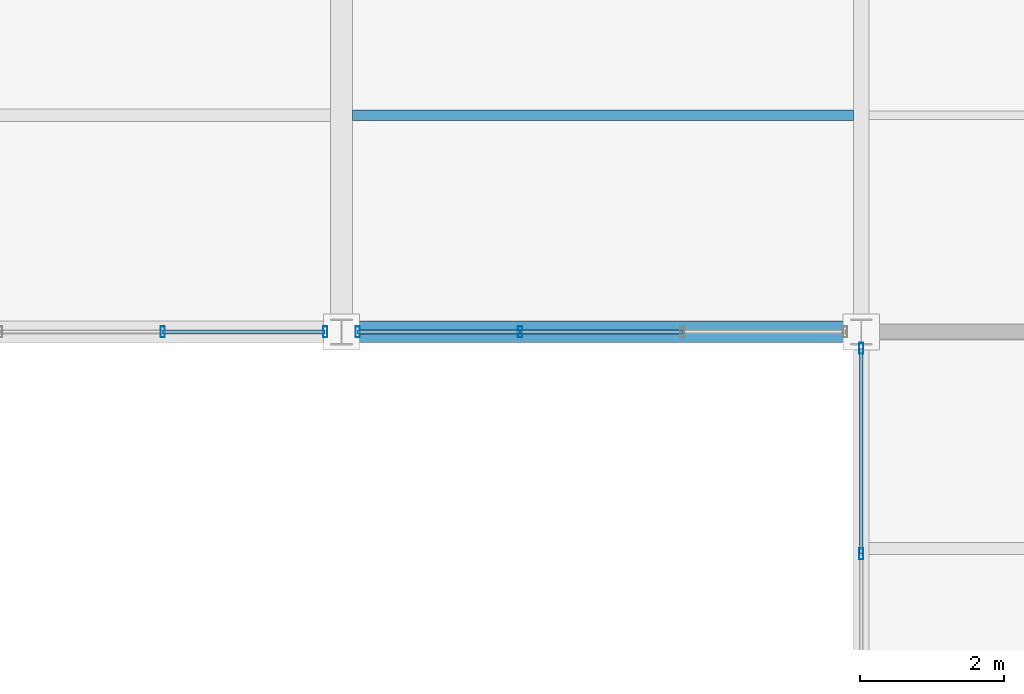
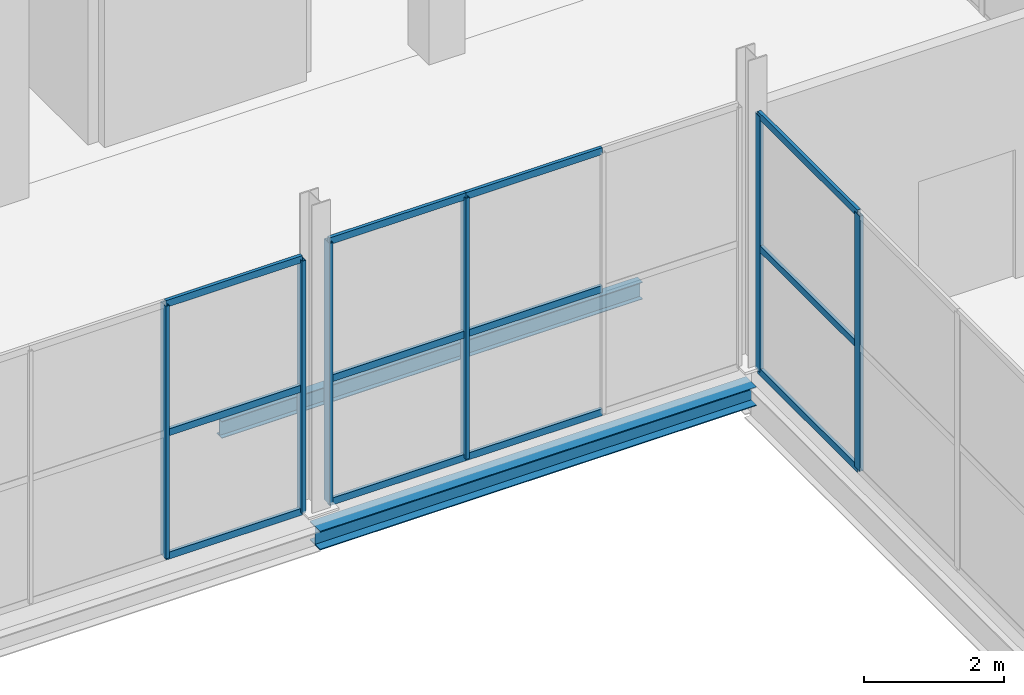
# One storey, part 81 of 141: 18 members, 2 beams, 3 elements without a shape of their own.
"""IFC4 building model written with IfcOpenShell, lengths in metres."""

from ifc_helpers import new_model, si_unit, direction, frame, origin, origin_2d, place, context, subcontext, project, spatial, hollow_rectangle, i_section, extrude, material, layer, layer_set, material_profile, profile_set, type_object, element, aggregate, save


model = new_model("IFC4")

# Units and contexts
model_context = context("Model", 3, precision=1e-05, world=origin(), true_north=direction((0.0, 1.0)))
body_context = subcontext(model_context, "Body", "Model", "MODEL_VIEW")
ifc_project = project(units=[si_unit("LENGTHUNIT", "METRE"), si_unit("AREAUNIT", "SQUARE_METRE"), si_unit("VOLUMEUNIT", "CUBIC_METRE"), si_unit("PLANEANGLEUNIT", "RADIAN"), si_unit("MASSUNIT", "GRAM", prefix="KILO")], contexts=[model_context])

# Site, building, storey
site_placement = place(None, origin())
site = spatial("IfcSite", under=ifc_project, at=site_placement, CompositionType="ELEMENT")
building_placement = place(site_placement, origin())
building = spatial("IfcBuilding", under=site, at=building_placement, Name="Sundgate Opera House", CompositionType="ELEMENT")
storey_placement = place(building_placement, frame((0.0, 0.0, 11.39990234375)))
storey = spatial("IfcBuildingStorey", under=building, at=storey_placement, Name="L02", CompositionType="ELEMENT", Elevation=11.39990234375)

# Beams
ifc_material_1 = material(Name="Steel S355J2", Category="steel")
ifc_material_profile_1 = material_profile(ifc_material_1, i_section(OverallWidth=0.300048828125, OverallDepth=0.330078125, WebThickness=0.009521484375, FlangeThickness=0.0166015625, at=origin_2d()), Name="HEA 340")
ifc_profile_set_1 = profile_set([ifc_material_profile_1], Name="Steel S355J2")
beam_type_1 = type_object("IfcBeamType", Name="BM-GR-HEA340", PredefinedType="BEAM", material=ifc_profile_set_1)
beam_1_placement = place(storey_placement, frame((131.39990234375, 60.0, -0.514892578125), z_axis=(1.0, 0.0, 0.0), x_axis=(0.0, 1.0, 0.0)))
element("IfcBeam", 1, at=beam_1_placement, inside=storey, type_object=beam_type_1, Name="L02 Primary E-W Girder B2030", PredefinedType="BEAM", context=body_context, shape_type="SweptSolid", body=[
    extrude(i_section(OverallWidth=0.300048828125, OverallDepth=0.330078125, WebThickness=0.009521484375, FlangeThickness=0.0166015625, at=origin_2d()), origin(), (0.0, 0.0, 1.0), 7.2001953125),
])
ifc_material_2 = material(Name="Steel S355J2", Category="steel")
ifc_material_profile_2 = material_profile(ifc_material_2, i_section(OverallWidth=0.14990234375, OverallDepth=0.300048828125, WebThickness=0.007080078125, FlangeThickness=0.0107421875, at=origin_2d()), Name="IPE 300")
ifc_profile_set_2 = profile_set([ifc_material_profile_2], Name="Steel S355J2")
beam_type_2 = type_object("IfcBeamType", Name="BM-JS-IPE300", PredefinedType="JOIST", material=ifc_profile_set_2)
beam_2_placement = place(storey_placement, frame((131.550048828125, 63.0, -0.5), z_axis=(1.0, 0.0, 0.0), x_axis=(0.0, 1.0, 0.0)))
element("IfcBeam", 2, at=beam_2_placement, inside=storey, type_object=beam_type_2, Name="L02 Secondary Floor Joist B2273", PredefinedType="JOIST", context=body_context, shape_type="SweptSolid", body=[
    extrude(i_section(OverallWidth=0.14990234375, OverallDepth=0.300048828125, WebThickness=0.007080078125, FlangeThickness=0.0107421875, at=origin_2d()), origin(), (0.0, 0.0, 1.0), 6.945068359375),
])

# Curtain wall, members
ifc_material_3 = material(Name="Anodized aluminium and low-iron glass", Category="aluminium")
ifc_layer = layer(ifc_material_3, 0.159912109375)
ifc_layer_set = layer_set([ifc_layer], Name="Anodized aluminium and low-iron glass")
curtain_wall_type = type_object("IfcCurtainWallType", Name="CW-STUDIO-DARK", PredefinedType="NOTDEFINED", material=ifc_layer_set)
curtain_wall_1_placement = place(storey_placement, origin())
curtain_wall_1 = element("IfcCurtainWall", 3, at=curtain_wall_1_placement, inside=storey, type_object=curtain_wall_type, Name="L02 Curtain Wall CW073", PredefinedType="NOTDEFINED")
ifc_material_4 = material(Name="Anodized aluminium EN AW-6063", Category="aluminium")
ifc_material_profile_3 = material_profile(ifc_material_4, hollow_rectangle(XDim=0.06005859375, YDim=0.14990234375, WallThickness=0.00390625, at=origin_2d()), Name="CWM 150x60x4")
ifc_profile_set_3 = profile_set([ifc_material_profile_3], Name="Anodized aluminium EN AW-6063")
member_type_1 = type_object("IfcMemberType", Name="CWM-ALU-150x60", PredefinedType="MULLION", material=ifc_profile_set_3)
member_1_placement = place(storey_placement, frame((131.175048828125, 60.0, 0.0), z_axis=(0.0, 0.0, 1.0), x_axis=(1.0, 0.0, 0.0)))
member_1 = element("IfcMember", 4, at=member_1_placement, type_object=member_type_1, Name="CW073 Mullion 1", PredefinedType="MULLION", context=body_context, shape_type="SweptSolid", body=[
    extrude(hollow_rectangle(XDim=0.06005859375, YDim=0.14990234375, WallThickness=0.00390625, at=origin_2d()), origin(), (0.0, 0.0, 1.0), 4.405029296875),
])
member_2_placement = place(storey_placement, frame((128.925048828125, 60.0, 0.0), z_axis=(0.0, 0.0, 1.0), x_axis=(1.0, 0.0, 0.0)))
member_2 = element("IfcMember", 5, at=member_2_placement, type_object=member_type_1, Name="CW073 Mullion 2", PredefinedType="MULLION", context=body_context, shape_type="SweptSolid", body=[
    extrude(hollow_rectangle(XDim=0.06005859375, YDim=0.14990234375, WallThickness=0.00390625, at=origin_2d()), origin(), (0.0, 0.0, 1.0), 4.405029296875),
])

curtain_wall_2_placement = place(storey_placement, origin())
curtain_wall_2 = element("IfcCurtainWall", 6, at=curtain_wall_2_placement, inside=storey, type_object=curtain_wall_type, Name="L02 Curtain Wall CW075", PredefinedType="NOTDEFINED")
member_3_placement = place(storey_placement, frame((133.875, 60.0, 0.0), z_axis=(0.0, 0.0, 1.0), x_axis=(1.0, 0.0, 0.0)))
member_3 = element("IfcMember", 7, at=member_3_placement, type_object=member_type_1, Name="CW075 Mullion 3", PredefinedType="MULLION", context=body_context, shape_type="SweptSolid", body=[
    extrude(hollow_rectangle(XDim=0.06005859375, YDim=0.14990234375, WallThickness=0.00390625, at=origin_2d()), origin(), (0.0, 0.0, 1.0), 4.55517578125),
])
member_4_placement = place(storey_placement, frame((131.625, 60.0, 0.0), z_axis=(0.0, 0.0, 1.0), x_axis=(1.0, 0.0, 0.0)))
member_4 = element("IfcMember", 8, at=member_4_placement, type_object=member_type_1, Name="CW075 Mullion 4", PredefinedType="MULLION", context=body_context, shape_type="SweptSolid", body=[
    extrude(hollow_rectangle(XDim=0.06005859375, YDim=0.14990234375, WallThickness=0.00390625, at=origin_2d()), origin(), (0.0, 0.0, 1.0), 4.55517578125),
])

curtain_wall_3_placement = place(storey_placement, origin())
curtain_wall_3 = element("IfcCurtainWall", 9, at=curtain_wall_3_placement, inside=storey, type_object=curtain_wall_type, Name="L02 Curtain Wall CW079", PredefinedType="NOTDEFINED")
member_5_placement = place(storey_placement, frame((138.60009765625, 59.77490234375, 0.0), z_axis=(0.0, 0.0, 1.0), x_axis=(1.0, 0.0, 0.0)))
member_5 = element("IfcMember", 10, at=member_5_placement, type_object=member_type_1, Name="CW079 Mullion 1", PredefinedType="MULLION", context=body_context, shape_type="SweptSolid", body=[
    extrude(hollow_rectangle(XDim=0.06005859375, YDim=0.14990234375, WallThickness=0.00390625, at=origin_2d()), origin(), (0.0, 0.0, 1.0), 4.455078125),
])
member_6_placement = place(storey_placement, frame((138.60009765625, 56.925048828125, 0.0), z_axis=(0.0, 0.0, 1.0), x_axis=(1.0, 0.0, 0.0)))
member_6 = element("IfcMember", 11, at=member_6_placement, type_object=member_type_1, Name="CW079 Mullion 2", PredefinedType="MULLION", context=body_context, shape_type="SweptSolid", body=[
    extrude(hollow_rectangle(XDim=0.06005859375, YDim=0.14990234375, WallThickness=0.00390625, at=origin_2d()), origin(), (0.0, 0.0, 1.0), 4.455078125),
])

# Member
ifc_material_5 = material(Name="Anodized aluminium EN AW-6063", Category="aluminium")
ifc_material_profile_4 = material_profile(ifc_material_5, hollow_rectangle(XDim=0.054931640625, YDim=0.1201171875, WallThickness=0.00390625, at=origin_2d()), Name="CWT 120x55x4")
ifc_profile_set_4 = profile_set([ifc_material_profile_4], Name="Anodized aluminium EN AW-6063")
member_type_2 = type_object("IfcMemberType", Name="CWT-ALU-120x55", PredefinedType="USERDEFINED", material=ifc_profile_set_4)
member_7_placement = place(storey_placement, frame((131.175048828125, 60.0, 0.0), z_axis=(-1.0, 0.0, 0.0), x_axis=(0.0, -1.0, 0.0)))
member_7 = element("IfcMember", 12, at=member_7_placement, type_object=member_type_2, Name="CW073 Transom 1", ObjectType="TRANSOM", PredefinedType="USERDEFINED", context=body_context, shape_type="SweptSolid", body=[
    extrude(hollow_rectangle(XDim=0.054931640625, YDim=0.1201171875, WallThickness=0.00390625, at=origin_2d()), origin(), (0.0, 0.0, 1.0), 2.25),
])

member_8_placement = place(storey_placement, frame((131.175048828125, 60.0, 2.150146484375), z_axis=(-1.0, 0.0, 0.0), x_axis=(0.0, -1.0, 0.0)))
member_8 = element("IfcMember", 13, at=member_8_placement, type_object=member_type_2, Name="CW073 Transom 2", ObjectType="TRANSOM", PredefinedType="USERDEFINED", context=body_context, shape_type="SweptSolid", body=[
    extrude(hollow_rectangle(XDim=0.054931640625, YDim=0.1201171875, WallThickness=0.00390625, at=origin_2d()), origin(), (0.0, 0.0, 1.0), 2.25),
])

member_9_placement = place(storey_placement, frame((131.175048828125, 60.0, 4.405029296875), z_axis=(-1.0, 0.0, 0.0), x_axis=(0.0, -1.0, 0.0)))
member_9 = element("IfcMember", 14, at=member_9_placement, type_object=member_type_2, Name="CW073 Transom 3", ObjectType="TRANSOM", PredefinedType="USERDEFINED", context=body_context, shape_type="SweptSolid", body=[
    extrude(hollow_rectangle(XDim=0.054931640625, YDim=0.1201171875, WallThickness=0.00390625, at=origin_2d()), origin(), (0.0, 0.0, 1.0), 2.25),
])

aggregate(curtain_wall_1, [member_1, member_2, member_7, member_8, member_9])

member_10_placement = place(storey_placement, frame((136.125, 60.0, 0.0), z_axis=(-1.0, 0.0, 0.0), x_axis=(0.0, -1.0, 0.0)))
member_10 = element("IfcMember", 15, at=member_10_placement, type_object=member_type_2, Name="CW075 Transom 4", ObjectType="TRANSOM", PredefinedType="USERDEFINED", context=body_context, shape_type="SweptSolid", body=[
    extrude(hollow_rectangle(XDim=0.054931640625, YDim=0.1201171875, WallThickness=0.00390625, at=origin_2d()), origin(), (0.0, 0.0, 1.0), 2.25),
])

member_11_placement = place(storey_placement, frame((136.125, 60.0, 2.150146484375), z_axis=(-1.0, 0.0, 0.0), x_axis=(0.0, -1.0, 0.0)))
member_11 = element("IfcMember", 16, at=member_11_placement, type_object=member_type_2, Name="CW075 Transom 5", ObjectType="TRANSOM", PredefinedType="USERDEFINED", context=body_context, shape_type="SweptSolid", body=[
    extrude(hollow_rectangle(XDim=0.054931640625, YDim=0.1201171875, WallThickness=0.00390625, at=origin_2d()), origin(), (0.0, 0.0, 1.0), 2.25),
])

member_12_placement = place(storey_placement, frame((136.125, 60.0, 4.55517578125), z_axis=(-1.0, 0.0, 0.0), x_axis=(0.0, -1.0, 0.0)))
member_12 = element("IfcMember", 17, at=member_12_placement, type_object=member_type_2, Name="CW075 Transom 6", ObjectType="TRANSOM", PredefinedType="USERDEFINED", context=body_context, shape_type="SweptSolid", body=[
    extrude(hollow_rectangle(XDim=0.054931640625, YDim=0.1201171875, WallThickness=0.00390625, at=origin_2d()), origin(), (0.0, 0.0, 1.0), 2.25),
])

member_13_placement = place(storey_placement, frame((133.875, 60.0, 0.0), z_axis=(-1.0, 0.0, 0.0), x_axis=(0.0, -1.0, 0.0)))
member_13 = element("IfcMember", 18, at=member_13_placement, type_object=member_type_2, Name="CW075 Transom 7", ObjectType="TRANSOM", PredefinedType="USERDEFINED", context=body_context, shape_type="SweptSolid", body=[
    extrude(hollow_rectangle(XDim=0.054931640625, YDim=0.1201171875, WallThickness=0.00390625, at=origin_2d()), origin(), (0.0, 0.0, 1.0), 2.25),
])

member_14_placement = place(storey_placement, frame((133.875, 60.0, 2.150146484375), z_axis=(-1.0, 0.0, 0.0), x_axis=(0.0, -1.0, 0.0)))
member_14 = element("IfcMember", 19, at=member_14_placement, type_object=member_type_2, Name="CW075 Transom 8", ObjectType="TRANSOM", PredefinedType="USERDEFINED", context=body_context, shape_type="SweptSolid", body=[
    extrude(hollow_rectangle(XDim=0.054931640625, YDim=0.1201171875, WallThickness=0.00390625, at=origin_2d()), origin(), (0.0, 0.0, 1.0), 2.25),
])

member_15_placement = place(storey_placement, frame((133.875, 60.0, 4.55517578125), z_axis=(-1.0, 0.0, 0.0), x_axis=(0.0, -1.0, 0.0)))
member_15 = element("IfcMember", 20, at=member_15_placement, type_object=member_type_2, Name="CW075 Transom 9", ObjectType="TRANSOM", PredefinedType="USERDEFINED", context=body_context, shape_type="SweptSolid", body=[
    extrude(hollow_rectangle(XDim=0.054931640625, YDim=0.1201171875, WallThickness=0.00390625, at=origin_2d()), origin(), (0.0, 0.0, 1.0), 2.25),
])

aggregate(curtain_wall_2, [member_3, member_4, member_10, member_11, member_12, member_13, member_14, member_15])

member_16_placement = place(storey_placement, frame((138.60009765625, 59.77490234375, 0.0), z_axis=(0.0, -1.0, 0.0), x_axis=(1.0, 0.0, 0.0)))
member_16 = element("IfcMember", 21, at=member_16_placement, type_object=member_type_2, Name="CW079 Transom 1", ObjectType="TRANSOM", PredefinedType="USERDEFINED", context=body_context, shape_type="SweptSolid", body=[
    extrude(hollow_rectangle(XDim=0.054931640625, YDim=0.1201171875, WallThickness=0.00390625, at=origin_2d()), origin(), (0.0, 0.0, 1.0), 2.849853515625),
])

member_17_placement = place(storey_placement, frame((138.60009765625, 59.77490234375, 2.150146484375), z_axis=(0.0, -1.0, 0.0), x_axis=(1.0, 0.0, 0.0)))
member_17 = element("IfcMember", 22, at=member_17_placement, type_object=member_type_2, Name="CW079 Transom 2", ObjectType="TRANSOM", PredefinedType="USERDEFINED", context=body_context, shape_type="SweptSolid", body=[
    extrude(hollow_rectangle(XDim=0.054931640625, YDim=0.1201171875, WallThickness=0.00390625, at=origin_2d()), origin(), (0.0, 0.0, 1.0), 2.849853515625),
])

member_18_placement = place(storey_placement, frame((138.60009765625, 59.77490234375, 4.455078125), z_axis=(0.0, -1.0, 0.0), x_axis=(1.0, 0.0, 0.0)))
member_18 = element("IfcMember", 23, at=member_18_placement, type_object=member_type_2, Name="CW079 Transom 3", ObjectType="TRANSOM", PredefinedType="USERDEFINED", context=body_context, shape_type="SweptSolid", body=[
    extrude(hollow_rectangle(XDim=0.054931640625, YDim=0.1201171875, WallThickness=0.00390625, at=origin_2d()), origin(), (0.0, 0.0, 1.0), 2.849853515625),
])

aggregate(curtain_wall_3, [member_5, member_6, member_16, member_17, member_18])

save(model, "model.ifc")
